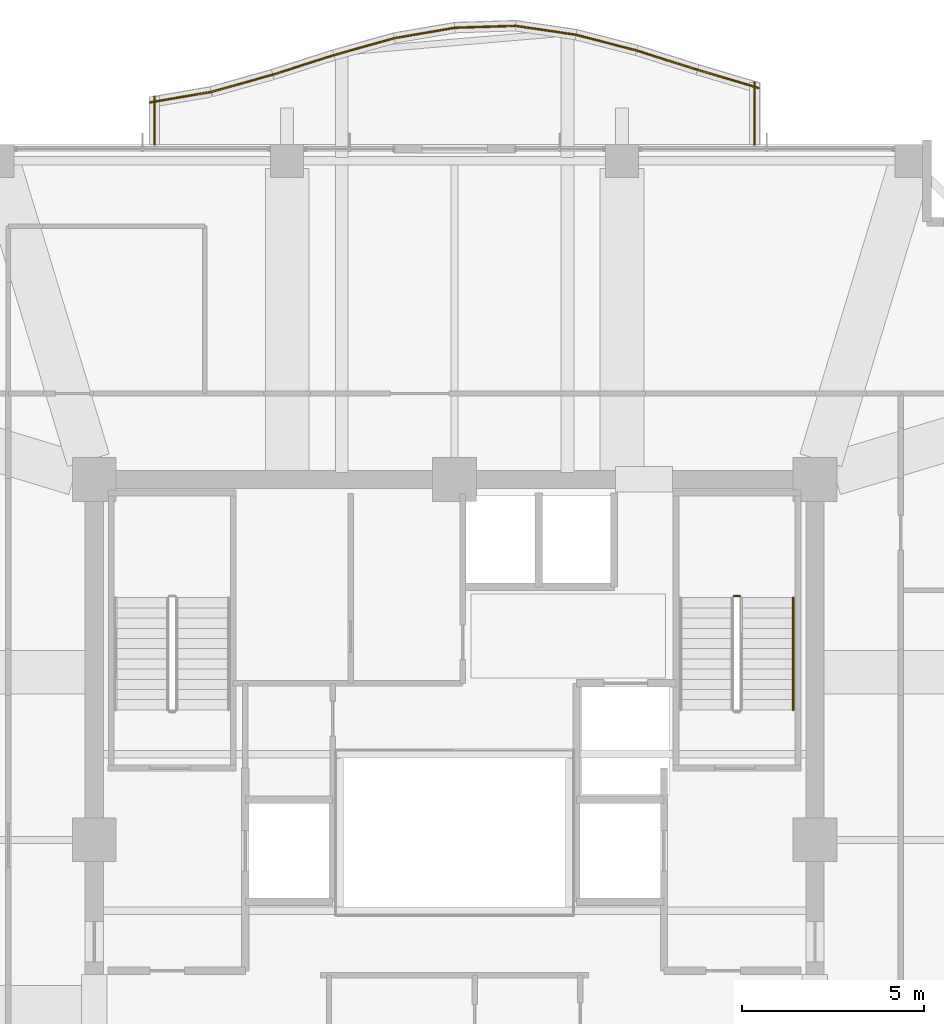
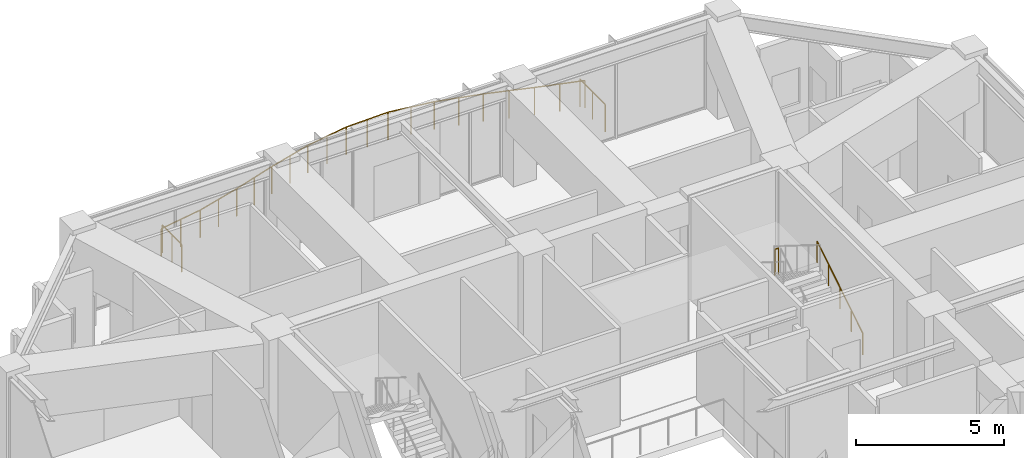
# One storey, part 32 of 33: 14 railings.
"""IFC4 building model written with IfcOpenShell, lengths in metres."""

from ifc_helpers import new_model, si_unit, direction, frame, origin, origin_2d, place, context, subcontext, project, spatial, circle, extrude, material, type_object, element, save


model = new_model("IFC4")

# Units and contexts
model_context = context("Model", 3, precision=1e-05, world=origin(), true_north=direction((0.0, 1.0)))
body_context = subcontext(model_context, "Body", "Model", "MODEL_VIEW")
ifc_project = project(units=[si_unit("LENGTHUNIT", "METRE"), si_unit("AREAUNIT", "SQUARE_METRE"), si_unit("VOLUMEUNIT", "CUBIC_METRE"), si_unit("PLANEANGLEUNIT", "RADIAN"), si_unit("MASSUNIT", "GRAM", prefix="KILO")], contexts=[model_context])

# Site, building, storey
site_placement = place(None, origin())
site = spatial("IfcSite", under=ifc_project, at=site_placement, CompositionType="ELEMENT")
building_placement = place(site_placement, origin())
building = spatial("IfcBuilding", under=site, at=building_placement, Name="Kolvaren Belvedere", CompositionType="ELEMENT")
storey_placement = place(building_placement, frame((0.0, 0.0, 152.699951171875)))
storey = spatial("IfcBuildingStorey", under=building, at=storey_placement, Name="L44", CompositionType="ELEMENT", Elevation=152.699951171875)

# Railings
ifc_material_1 = material(Name="Anodised pale-metal aluminium & laminated glass guard", Category="aluminium")
railing_type_1 = type_object("IfcRailingType", Name="RL-GUARD-1150", PredefinedType="GUARDRAIL", material=ifc_material_1)
railing_1_placement = place(storey_placement, frame((8.239990234375, 19.10009765625, 0.300048828125)))
element("IfcRailing", 1, at=railing_1_placement, inside=storey, type_object=railing_type_1, Name="L44 Exterior Deck Safety Guard BAL-N-11", PredefinedType="GUARDRAIL", context=body_context, shape_type="SweptSolid", body=[
    extrude(circle(Radius=0.02392578125, at=origin_2d()), frame((0.0, 0.0, 1.1259765625), z_axis=(0.0, 1.0, 0.0), x_axis=(-1.0, 0.0, 0.0)), (0.0, 0.0, 1.0), 1.705078125),
    extrude(circle(Radius=0.02099609375, at=origin_2d()), origin(), (0.0, 0.0, 1.0), 1.101806640625),
    extrude(circle(Radius=0.02099609375, at=origin_2d()), frame((0.0, 0.8525390625, 0.0)), (0.0, 0.0, 1.0), 1.101806640625),
    extrude(circle(Radius=0.02099609375, at=origin_2d()), frame((0.0, 1.705078125, 0.0)), (0.0, 0.0, 1.0), 1.101806640625),
])
railing_2_placement = place(storey_placement, frame((8.3544921875, 20.65185546875, 0.300048828125)))
element("IfcRailing", 2, at=railing_2_placement, inside=storey, type_object=railing_type_1, Name="L44 Exterior Deck Safety Guard BAL-N-12", PredefinedType="GUARDRAIL", context=body_context, shape_type="SweptSolid", body=[
    extrude(circle(Radius=0.02392578125, at=origin_2d()), frame((0.0, 0.0, 1.1259765625), z_axis=(-0.958574394638, 0.284842289601, 0.0), x_axis=(-0.284842289601, -0.958574394638, 0.0)), (0.0, 0.0, 1.0), 1.752685546875),
    extrude(circle(Radius=0.02099609375, at=origin_2d()), origin(), (0.0, 0.0, 1.0), 1.101806640625),
    extrude(circle(Radius=0.02099609375, at=origin_2d()), frame((-0.840087890625, 0.24951171875, 0.0)), (0.0, 0.0, 1.0), 1.101806640625),
    extrude(circle(Radius=0.02099609375, at=origin_2d()), frame((-1.68017578125, 0.499267578125, 0.0)), (0.0, 0.0, 1.0), 1.101806640625),
])
railing_3_placement = place(storey_placement, frame((6.671630859375, 21.152099609375, 0.300048828125)))
element("IfcRailing", 3, at=railing_3_placement, inside=storey, type_object=railing_type_1, Name="L44 Exterior Deck Safety Guard BAL-N-13", PredefinedType="GUARDRAIL", context=body_context, shape_type="SweptSolid", body=[
    extrude(circle(Radius=0.02392578125, at=origin_2d()), frame((0.0, 0.0, 1.1259765625), z_axis=(-0.953181954832, 0.302397356111, 0.0), x_axis=(-0.302397356111, -0.953181954832, 0.0)), (0.0, 0.0, 1.0), 1.762451171875),
    extrude(circle(Radius=0.02099609375, at=origin_2d()), origin(), (0.0, 0.0, 1.0), 1.101806640625),
    extrude(circle(Radius=0.02099609375, at=origin_2d()), frame((-0.83984375, 0.2666015625, 0.0)), (0.0, 0.0, 1.0), 1.101806640625),
    extrude(circle(Radius=0.02099609375, at=origin_2d()), frame((-1.679931640625, 0.532958984375, 0.0)), (0.0, 0.0, 1.0), 1.101806640625),
])
railing_4_placement = place(storey_placement, frame((5.0, 21.6826171875, 0.300048828125)))
element("IfcRailing", 4, at=railing_4_placement, inside=storey, type_object=railing_type_1, Name="L44 Exterior Deck Safety Guard BAL-N-14", PredefinedType="GUARDRAIL", context=body_context, shape_type="SweptSolid", body=[
    extrude(circle(Radius=0.02392578125, at=origin_2d()), frame((0.0, 0.0, 1.1259765625), z_axis=(-0.968141031826, 0.250405556038, 0.0), x_axis=(-0.250405556038, -0.968141031826, 0.0)), (0.0, 0.0, 1.0), 1.7353515625),
    extrude(circle(Radius=0.02099609375, at=origin_2d()), origin(), (0.0, 0.0, 1.0), 1.101806640625),
    extrude(circle(Radius=0.02099609375, at=origin_2d()), frame((-0.840087890625, 0.21728515625, 0.0)), (0.0, 0.0, 1.0), 1.101806640625),
    extrude(circle(Radius=0.02099609375, at=origin_2d()), frame((-1.68017578125, 0.4345703125, 0.0)), (0.0, 0.0, 1.0), 1.101806640625),
])
railing_5_placement = place(storey_placement, frame((3.336669921875, 22.114013671875, 0.300048828125)))
element("IfcRailing", 5, at=railing_5_placement, inside=storey, type_object=railing_type_1, Name="L44 Exterior Deck Safety Guard BAL-N-15", PredefinedType="GUARDRAIL", context=body_context, shape_type="SweptSolid", body=[
    extrude(circle(Radius=0.02392578125, at=origin_2d()), frame((0.0, 0.0, 1.1259765625), z_axis=(-0.989295127716, 0.145928579368, 0.0), x_axis=(-0.145928579368, -0.989295127716, 0.0)), (0.0, 0.0, 1.0), 1.697998046875),
    extrude(circle(Radius=0.02099609375, at=origin_2d()), origin(), (0.0, 0.0, 1.0), 1.101806640625),
    extrude(circle(Radius=0.02099609375, at=origin_2d()), frame((-0.83984375, 0.1240234375, 0.0)), (0.0, 0.0, 1.0), 1.101806640625),
    extrude(circle(Radius=0.02099609375, at=origin_2d()), frame((-1.679931640625, 0.247802734375, 0.0)), (0.0, 0.0, 1.0), 1.101806640625),
])
railing_6_placement = place(storey_placement, frame((1.68505859375, 22.360107421875, 0.300048828125)))
element("IfcRailing", 6, at=railing_6_placement, inside=storey, type_object=railing_type_1, Name="L44 Exterior Deck Safety Guard BAL-N-16", PredefinedType="GUARDRAIL", context=body_context, shape_type="SweptSolid", body=[
    extrude(circle(Radius=0.02392578125, at=origin_2d()), frame((0.0, 0.0, 1.1259765625), z_axis=(-0.999503251643, -0.031515868295, 0.0), x_axis=(0.031515868295, -0.999503251643, 0.0)), (0.0, 0.0, 1.0), 1.680908203125),
    extrude(circle(Radius=0.02099609375, at=origin_2d()), origin(), (0.0, 0.0, 1.0), 1.101806640625),
    extrude(circle(Radius=0.02099609375, at=origin_2d()), frame((-0.840087890625, -0.0263671875, 0.0)), (0.0, 0.0, 1.0), 1.101806640625),
    extrude(circle(Radius=0.02099609375, at=origin_2d()), frame((-1.68017578125, -0.052978515625, 0.0)), (0.0, 0.0, 1.0), 1.101806640625),
])
railing_7_placement = place(storey_placement, frame((0.027099609375, 22.309326171875, 0.300048828125)))
element("IfcRailing", 7, at=railing_7_placement, inside=storey, type_object=railing_type_1, Name="L44 Exterior Deck Safety Guard BAL-N-17", PredefinedType="GUARDRAIL", context=body_context, shape_type="SweptSolid", body=[
    extrude(circle(Radius=0.02392578125, at=origin_2d()), frame((0.0, 0.0, 1.1259765625), z_axis=(-0.985640648378, -0.168856484225, 0.0), x_axis=(0.168856484225, -0.985640648378, 0.0)), (0.0, 0.0, 1.0), 1.70458984375),
    extrude(circle(Radius=0.02099609375, at=origin_2d()), origin(), (0.0, 0.0, 1.0), 1.101806640625),
    extrude(circle(Radius=0.02099609375, at=origin_2d()), frame((-0.840087890625, -0.14404296875, 0.0)), (0.0, 0.0, 1.0), 1.101806640625),
    extrude(circle(Radius=0.02099609375, at=origin_2d()), frame((-1.68017578125, -0.287841796875, 0.0)), (0.0, 0.0, 1.0), 1.101806640625),
])
railing_8_placement = place(storey_placement, frame((-1.63671875, 22.025146484375, 0.300048828125)))
element("IfcRailing", 8, at=railing_8_placement, inside=storey, type_object=railing_type_1, Name="L44 Exterior Deck Safety Guard BAL-N-18", PredefinedType="GUARDRAIL", context=body_context, shape_type="SweptSolid", body=[
    extrude(circle(Radius=0.02392578125, at=origin_2d()), frame((0.0, 0.0, 1.1259765625), z_axis=(-0.962926227834, -0.269764860108, 0.0), x_axis=(0.269764860108, -0.962926227834, 0.0)), (0.0, 0.0, 1.0), 1.744873046875),
    extrude(circle(Radius=0.02099609375, at=origin_2d()), origin(), (0.0, 0.0, 1.0), 1.101806640625),
    extrude(circle(Radius=0.02099609375, at=origin_2d()), frame((-0.840087890625, -0.2353515625, 0.0)), (0.0, 0.0, 1.0), 1.101806640625),
    extrude(circle(Radius=0.02099609375, at=origin_2d()), frame((-1.68017578125, -0.470703125, 0.0)), (0.0, 0.0, 1.0), 1.101806640625),
])
railing_9_placement = place(storey_placement, frame((-3.311279296875, 21.55615234375, 0.300048828125)))
element("IfcRailing", 9, at=railing_9_placement, inside=storey, type_object=railing_type_1, Name="L44 Exterior Deck Safety Guard BAL-N-19", PredefinedType="GUARDRAIL", context=body_context, shape_type="SweptSolid", body=[
    extrude(circle(Radius=0.02392578125, at=origin_2d()), frame((0.0, 0.0, 1.1259765625), z_axis=(-0.952501264923, -0.304534629099, 0.0), x_axis=(0.304534629099, -0.952501264923, 0.0)), (0.0, 0.0, 1.0), 1.763671875),
    extrude(circle(Radius=0.02099609375, at=origin_2d()), origin(), (0.0, 0.0, 1.0), 1.101806640625),
    extrude(circle(Radius=0.02099609375, at=origin_2d()), frame((-0.83984375, -0.2685546875, 0.0)), (0.0, 0.0, 1.0), 1.101806640625),
    extrude(circle(Radius=0.02099609375, at=origin_2d()), frame((-1.679931640625, -0.537109375, 0.0)), (0.0, 0.0, 1.0), 1.101806640625),
])
railing_10_placement = place(storey_placement, frame((-4.996826171875, 21.017333984375, 0.300048828125)))
element("IfcRailing", 10, at=railing_10_placement, inside=storey, type_object=railing_type_1, Name="L44 Exterior Deck Safety Guard BAL-N-20", PredefinedType="GUARDRAIL", context=body_context, shape_type="SweptSolid", body=[
    extrude(circle(Radius=0.02392578125, at=origin_2d()), frame((0.0, 0.0, 1.1259765625), z_axis=(-0.962916043401, -0.269801210823, 0.0), x_axis=(0.269801210823, -0.962916043401, 0.0)), (0.0, 0.0, 1.0), 1.74462890625),
    extrude(circle(Radius=0.02099609375, at=origin_2d()), origin(), (0.0, 0.0, 1.0), 1.101806640625),
    extrude(circle(Radius=0.02099609375, at=origin_2d()), frame((-0.83984375, -0.2353515625, 0.0)), (0.0, 0.0, 1.0), 1.101806640625),
    extrude(circle(Radius=0.02099609375, at=origin_2d()), frame((-1.679931640625, -0.470703125, 0.0)), (0.0, 0.0, 1.0), 1.101806640625),
])
railing_11_placement = place(storey_placement, frame((-6.693115234375, 20.54296875, 0.300048828125)))
element("IfcRailing", 11, at=railing_11_placement, inside=storey, type_object=railing_type_1, Name="L44 Exterior Deck Safety Guard BAL-N-21", PredefinedType="GUARDRAIL", context=body_context, shape_type="SweptSolid", body=[
    extrude(circle(Radius=0.02392578125, at=origin_2d()), frame((0.0, 0.0, 1.1259765625), z_axis=(-0.985636563949, -0.16888032392, 0.0), x_axis=(0.16888032392, -0.985636563949, 0.0)), (0.0, 0.0, 1.0), 1.704345703125),
    extrude(circle(Radius=0.02099609375, at=origin_2d()), origin(), (0.0, 0.0, 1.0), 1.101806640625),
    extrude(circle(Radius=0.02099609375, at=origin_2d()), frame((-0.83984375, -0.14404296875, 0.0)), (0.0, 0.0, 1.0), 1.101806640625),
    extrude(circle(Radius=0.02099609375, at=origin_2d()), frame((-1.679931640625, -0.287841796875, 0.0)), (0.0, 0.0, 1.0), 1.101806640625),
])
railing_12_placement = place(storey_placement, frame((-8.239990234375, 20.412841796875, 0.300048828125)))
element("IfcRailing", 12, at=railing_12_placement, inside=storey, type_object=railing_type_1, Name="L44 Exterior Deck Safety Guard BAL-N-22", PredefinedType="GUARDRAIL", context=body_context, shape_type="SweptSolid", body=[
    extrude(circle(Radius=0.02392578125, at=origin_2d()), frame((0.0, 0.0, 1.1259765625), z_axis=(0.0, -1.0, 0.0), x_axis=(1.0, 0.0, 0.0)), (0.0, 0.0, 1.0), 1.312744140625),
    extrude(circle(Radius=0.02099609375, at=origin_2d()), origin(), (0.0, 0.0, 1.0), 1.101806640625),
    extrude(circle(Radius=0.02099609375, at=origin_2d()), frame((0.0, -0.65625, 0.0)), (0.0, 0.0, 1.0), 1.101806640625),
    extrude(circle(Radius=0.02099609375, at=origin_2d()), frame((0.0, -1.312744140625, 0.0)), (0.0, 0.0, 1.0), 1.101806640625),
])
ifc_material_2 = material(Name="Brushed stainless-steel handrail", Category="steel")
railing_type_2 = type_object("IfcRailingType", Name="RL-HANDRAIL-920", PredefinedType="HANDRAIL", material=ifc_material_2)
railing_13_placement = place(storey_placement, frame((9.300048828125, 3.570068359375, 0.175048828125)))
element("IfcRailing", 13, at=railing_13_placement, inside=storey, type_object=railing_type_2, Name="L44 ST-2 stair handrail 1", PredefinedType="HANDRAIL", context=body_context, shape_type="SweptSolid", body=[
    extrude(circle(Radius=0.02392578125, at=origin_2d()), frame((0.0, 0.0, 0.8759765625), z_axis=(0.0, 0.847979421464, 0.530029150871), x_axis=(-1.0, 0.0, 0.0)), (0.0, 0.0, 1.0), 3.632080078125),
    extrude(circle(Radius=0.02099609375, at=origin_2d()), origin(), (0.0, 0.0, 1.0), 0.851806640625),
    extrude(circle(Radius=0.02099609375, at=origin_2d()), frame((0.0, 0.77001953125, 0.481201171875)), (0.0, 0.0, 1.0), 0.851806640625),
    extrude(circle(Radius=0.02099609375, at=origin_2d()), frame((0.0, 1.5400390625, 0.96240234375)), (0.0, 0.0, 1.0), 0.851806640625),
    extrude(circle(Radius=0.02099609375, at=origin_2d()), frame((0.0, 2.309814453125, 1.44384765625)), (0.0, 0.0, 1.0), 0.851806640625),
    extrude(circle(Radius=0.02099609375, at=origin_2d()), frame((0.0, 3.079833984375, 1.925048828125)), (0.0, 0.0, 1.0), 0.851806640625),
])
ifc_material_3 = material(Name="Painted tubular steel stair guard", Category="steel")
railing_type_3 = type_object("IfcRailingType", Name="RL-STGUARD-1100", PredefinedType="GUARDRAIL", material=ifc_material_3)
railing_14_placement = place(storey_placement, frame((7.830078125, 6.699951171875, 2.10009765625)))
element("IfcRailing", 14, at=railing_14_placement, inside=storey, type_object=railing_type_3, Name="L44 ST-2 stair guard 2", PredefinedType="GUARDRAIL", context=body_context, shape_type="SweptSolid", body=[
    extrude(circle(Radius=0.02392578125, at=origin_2d()), frame((0.0, 0.0, 1.076171875), z_axis=(-1.0, 0.0, 0.0), x_axis=(0.0, -1.0, 0.0)), (0.0, 0.0, 1.0), 0.150146484375),
    extrude(circle(Radius=0.02099609375, at=origin_2d()), origin(), (0.0, 0.0, 1.0), 1.052001953125),
    extrude(circle(Radius=0.02099609375, at=origin_2d()), frame((-0.150146484375, 0.0, 0.0)), (0.0, 0.0, 1.0), 1.052001953125),
])

save(model, "model.ifc")
